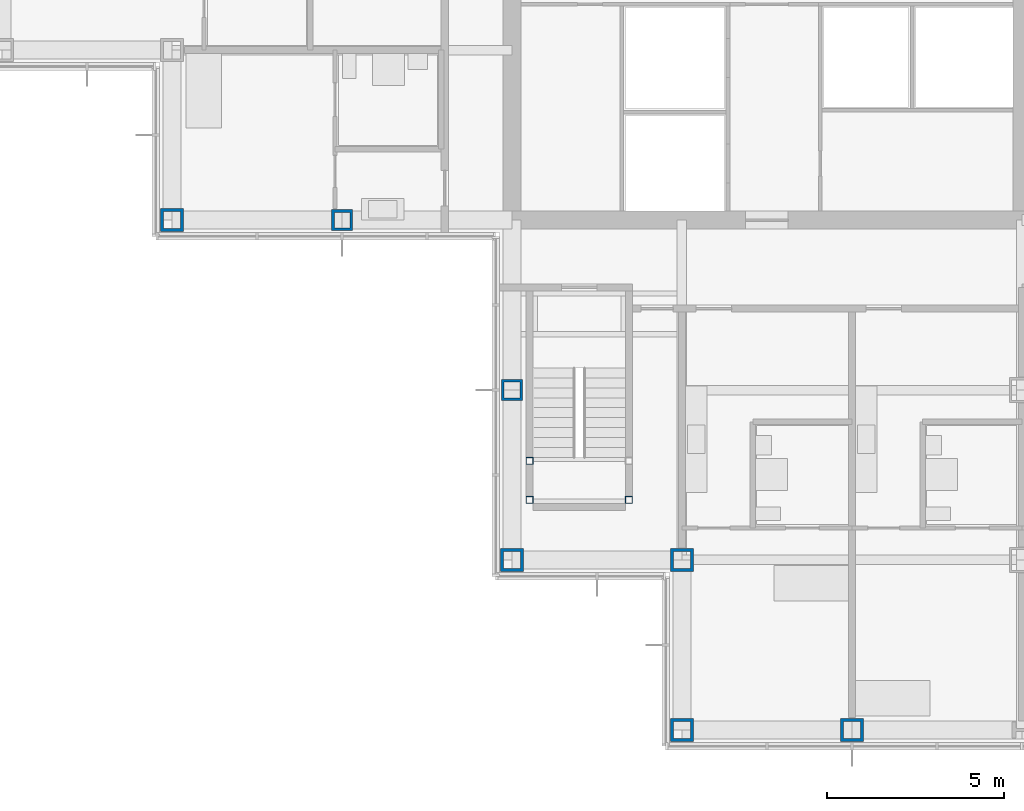
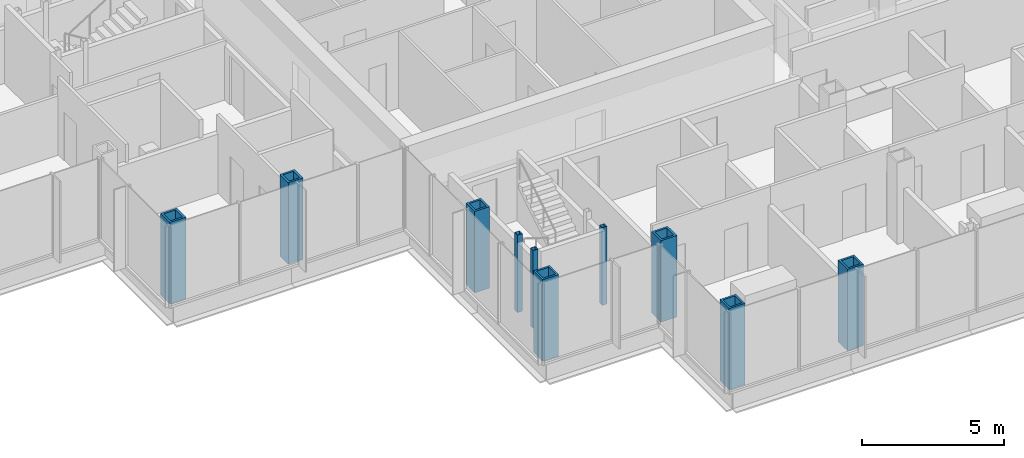
# One storey, part 1 of 19: 10 columns.
"""IFC4 building model written with IfcOpenShell, lengths in metres."""

from ifc_helpers import new_model, si_unit, direction, frame, origin, origin_2d, place, context, subcontext, project, spatial, hollow_rectangle, extrude, material, material_profile, profile_set, type_object, element, save


model = new_model("IFC4")

# Units and contexts
model_context = context("Model", 3, precision=1e-05, world=origin(), true_north=direction((0.0, 1.0)))
body_context = subcontext(model_context, "Body", "Model", "MODEL_VIEW")
ifc_project = project(units=[si_unit("LENGTHUNIT", "METRE"), si_unit("AREAUNIT", "SQUARE_METRE"), si_unit("VOLUMEUNIT", "CUBIC_METRE"), si_unit("PLANEANGLEUNIT", "RADIAN"), si_unit("MASSUNIT", "GRAM", prefix="KILO")], contexts=[model_context])

# Site, building, storey
site_placement = place(None, origin())
site = spatial("IfcSite", under=ifc_project, at=site_placement, CompositionType="ELEMENT")
building_placement = place(site_placement, origin())
building = spatial("IfcBuilding", under=site, at=building_placement, Name="Kvirike Care Tower", CompositionType="ELEMENT")
storey_placement = place(building_placement, frame((0.0, 0.0, 87.5)))
storey = spatial("IfcBuildingStorey", under=building, at=storey_placement, Name="L23", CompositionType="ELEMENT", Elevation=87.5)

# Columns
ifc_material_1 = material(Name="Steel S460", Category="steel")
ifc_material_profile_1 = material_profile(ifc_material_1, hollow_rectangle(XDim=0.60009765625, YDim=0.60009765625, WallThickness=0.080078125, at=origin_2d()), Name="BX 600x600x80")
ifc_profile_set_1 = profile_set([ifc_material_profile_1], Name="Steel S460")
column_type_1 = type_object("IfcColumnType", Name="COLUMN BX 600x600x80", PredefinedType="COLUMN", material=ifc_profile_set_1)
for number, where, z_axis, x_axis, name in (
    (1, (9.60009765625, 28.800048828125, 0.0), (0.0, 0.0, 1.0), (0.0, 1.0, 0.0), "Column G5 L23"),
    (2, (14.39990234375, 24.0, 0.0), (0.0, 0.0, 1.0), (1.0, 0.0, 0.0), "Column F6 L23"),
):
    element("IfcColumn", number, at=place(storey_placement, frame(where, z_axis=z_axis, x_axis=x_axis)), inside=storey, type_object=column_type_1, Name=name, PredefinedType="COLUMN", context=body_context, shape_type="SweptSolid", body=[
        extrude(hollow_rectangle(XDim=0.60009765625, YDim=0.60009765625, WallThickness=0.080078125, at=origin_2d()), origin(), (0.0, 0.0, 1.0), 3.5),
    ])
ifc_material_2 = material(Name="Steel S460", Category="steel")
ifc_material_profile_2 = material_profile(ifc_material_2, hollow_rectangle(XDim=0.64990234375, YDim=0.64990234375, WallThickness=0.080078125, at=origin_2d()), Name="BX 650x650x80")
ifc_profile_set_2 = profile_set([ifc_material_profile_2], Name="Steel S460")
column_type_2 = type_object("IfcColumnType", Name="COLUMN BX 650x650x80", PredefinedType="COLUMN", material=ifc_profile_set_2)
for number, where, z_axis, x_axis, name in (
    (3, (4.800048828125, 28.800048828125, 0.0), (0.0, 0.0, 1.0), (0.0, 1.0, 0.0), "Column G4 L23"),
    (4, (14.39990234375, 19.199951171875, 0.0), (0.0, 0.0, 1.0), (0.0, 1.0, 0.0), "Column E6 L23"),
    (5, (19.199951171875, 14.39990234375, 0.0), (0.0, 0.0, 1.0), (0.0, 1.0, 0.0), "Column D7 L23"),
    (6, (19.199951171875, 19.199951171875, 0.0), (0.0, 0.0, 1.0), (0.0, 1.0, 0.0), "Column E7 L23"),
    (7, (24.0, 14.39990234375, 0.0), (0.0, 0.0, 1.0), (0.0, 1.0, 0.0), "Column D8 L23"),
):
    element("IfcColumn", number, at=place(storey_placement, frame(where, z_axis=z_axis, x_axis=x_axis)), inside=storey, type_object=column_type_2, Name=name, PredefinedType="COLUMN", context=body_context, shape_type="SweptSolid", body=[
        extrude(hollow_rectangle(XDim=0.64990234375, YDim=0.64990234375, WallThickness=0.080078125, at=origin_2d()), origin(), (0.0, 0.0, 1.0), 3.5),
    ])
ifc_material_3 = material(Name="Steel S460", Category="steel")
ifc_material_profile_3 = material_profile(ifc_material_3, hollow_rectangle(XDim=0.199951171875, YDim=0.199951171875, WallThickness=0.008056640625, at=origin_2d()), Name="SHS 200x200x8")
ifc_profile_set_3 = profile_set([ifc_material_profile_3], Name="Steel S460")
column_type_3 = type_object("IfcColumnType", Name="STAIR POST SHS 200x200x8", PredefinedType="COLUMN", material=ifc_profile_set_3)
for number, where, z_axis, x_axis, name in (
    (8, (14.89990234375, 20.89990234375, 0.0), (0.0, 0.0, 1.0), (1.0, 0.0, 0.0), "Stair 5 post 1 L23"),
    (9, (17.699951171875, 20.89990234375, 0.0), (0.0, 0.0, 1.0), (1.0, 0.0, 0.0), "Stair 5 post 2 L23"),
    (10, (14.89990234375, 22.0, 0.0), (0.0, 0.0, 1.0), (1.0, 0.0, 0.0), "Stair 5 post 3 L23"),
):
    element("IfcColumn", number, at=place(storey_placement, frame(where, z_axis=z_axis, x_axis=x_axis)), inside=storey, type_object=column_type_3, Name=name, PredefinedType="COLUMN", context=body_context, shape_type="SweptSolid", body=[
        extrude(hollow_rectangle(XDim=0.199951171875, YDim=0.199951171875, WallThickness=0.008056640625, at=origin_2d()), origin(), (0.0, 0.0, 1.0), 3.330078125),
    ])

save(model, "model.ifc")
